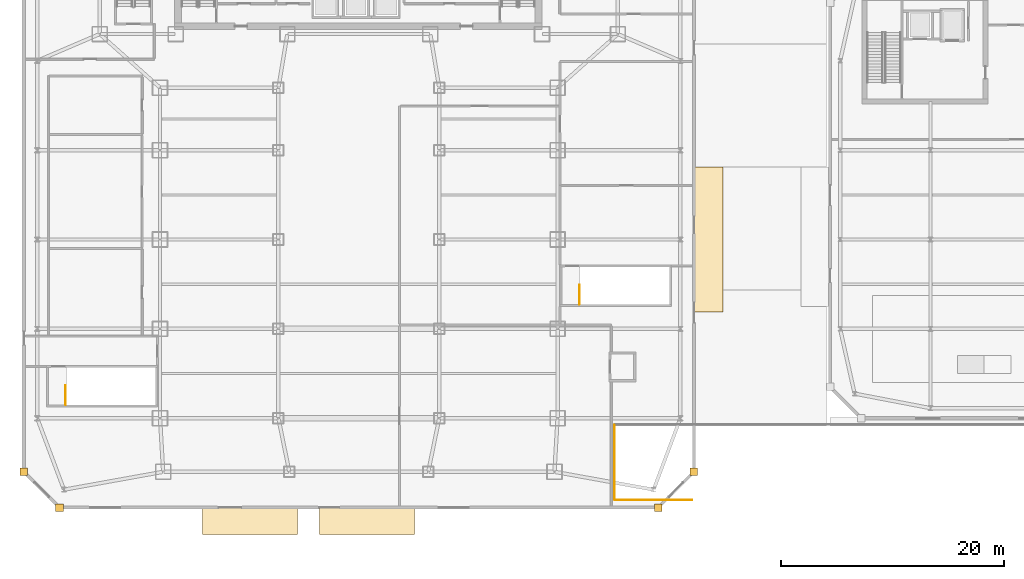
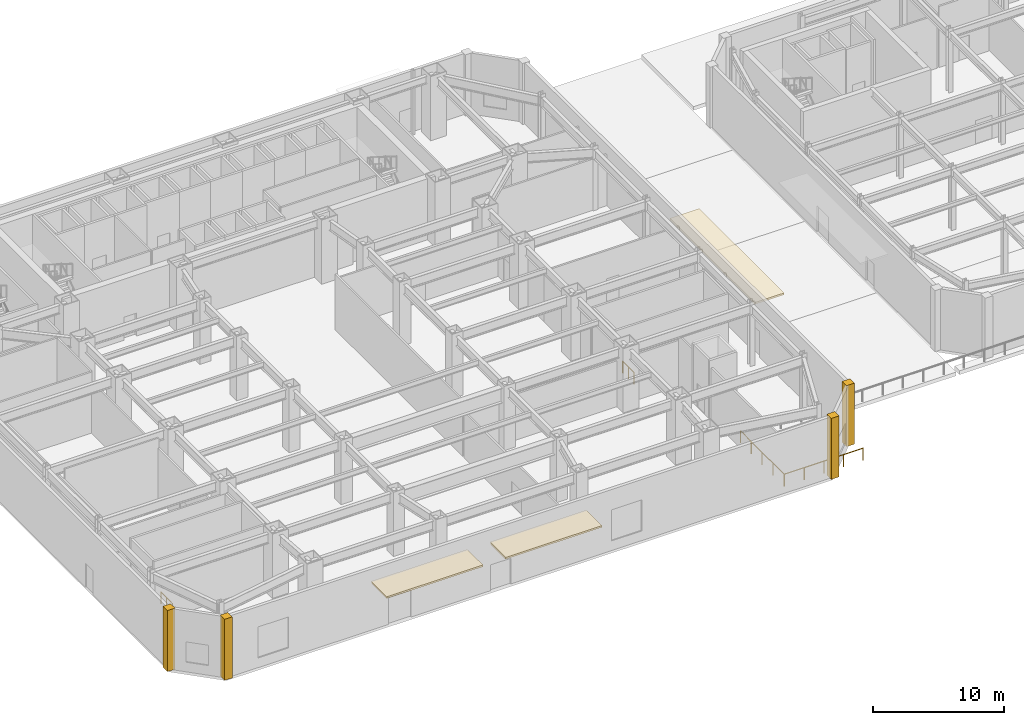
# One storey, part 17 of 23: 7 coverings, 4 railings.
"""IFC4 building model written with IfcOpenShell, lengths in metres."""

import ifcopenshell
import ifcopenshell.guid

model = None  # the IFC model being written
_history = None  # IfcOwnerHistory: only IFC2X3 demands one
_inside = {}  # id of a spatial element -> (the spatial element, [elements in it])
_under = {}  # id of a project, library or spatial element -> (it, [spatial elements below it])
_declared = {}  # id of a project -> (the project, [libraries it declares])
_typed = {}  # id of a type object -> (the type object, [elements of that type])
_made_of = {}  # id of a material, layer set ... -> (it, [elements and type objects made of it])


def new_model(schema):
    """Start an empty IFC model of exactly this schema.

    Asked for "IFC4X3", IfcOpenShell would pick the latest addendum, in which some entities
    have other attributes; the version numbers below select the first issue.
    IFC2X3 requires an IfcOwnerHistory on every rooted entity: one is made here for all.
    """
    global model, _history
    if schema == "IFC4X3":
        model = ifcopenshell.file(schema_version=(4, 3, 0, 0))
    else:
        model = ifcopenshell.file(schema=schema)
    _inside.clear()
    _under.clear()
    _declared.clear()
    _typed.clear()
    _made_of.clear()
    _history = None
    if model.schema == "IFC2X3":
        org = make("IfcOrganization", Name="unknown")
        user = make(
            "IfcPersonAndOrganization",
            ThePerson=make("IfcPerson", FamilyName="unknown"),
            TheOrganization=org,
        )
        app = make(
            "IfcApplication",
            ApplicationDeveloper=org,
            Version="unknown",
            ApplicationFullName="unknown",
            ApplicationIdentifier="unknown",
        )
        _history = make(
            "IfcOwnerHistory",
            OwningUser=user,
            OwningApplication=app,
            ChangeAction="ADDED",
            CreationDate=0,
        )
    return model


def make(cls, **values):
    """One entity of the class cls with the attributes given. An attribute that is None is left unset."""
    return model.create_entity(
        cls, **{name: value for name, value in values.items() if value is not None}
    )


def rooted(cls, **values):
    """An entity with a GlobalId (a new one), such as an element, a storey or a relation."""
    return make(cls, GlobalId=ifcopenshell.guid.new(), OwnerHistory=_history, **values)


def si_unit(unit_type, name, prefix=None):
    """IfcSIUnit, for example si_unit("LENGTHUNIT", "METRE", prefix="MILLI")."""
    return make("IfcSIUnit", UnitType=unit_type, Prefix=prefix, Name=name)


def assignment(units):
    """IfcUnitAssignment: the units of a project."""
    return None if units is None else make("IfcUnitAssignment", Units=units)


def point(xyz):
    """IfcCartesianPoint."""
    return None if xyz is None else make("IfcCartesianPoint", Coordinates=xyz)


def direction(xyz):
    """IfcDirection."""
    return None if xyz is None else make("IfcDirection", DirectionRatios=xyz)


def frame(location, z_axis=None, x_axis=None):
    """IfcAxis2Placement3D, a coordinate frame: its origin and axes. An axis left out is left unset."""
    return make(
        "IfcAxis2Placement3D",
        Location=point(location),
        Axis=direction(z_axis),
        RefDirection=direction(x_axis),
    )


def frame_2d(location, x_axis=None):
    """IfcAxis2Placement2D, a coordinate frame in the plane: its origin and x axis."""
    return make(
        "IfcAxis2Placement2D", Location=point(location), RefDirection=direction(x_axis)
    )


def origin():
    """The frame at (0, 0, 0) with its axes left unset."""
    return frame((0.0, 0.0, 0.0))


def origin_2d():
    """The frame at (0, 0) in the plane with its x axis left unset."""
    return frame_2d((0.0, 0.0))


def place(relative_to, where):
    """IfcLocalPlacement: puts the frame where relative to a parent placement (None: the world)."""
    return make(
        "IfcLocalPlacement", PlacementRelTo=relative_to, RelativePlacement=where
    )


def context(
    kind, dimensions, precision=None, world=None, true_north=None, identifier=None
):
    """IfcGeometricRepresentationContext, for example the 3D "Model" context."""
    return make(
        "IfcGeometricRepresentationContext",
        ContextIdentifier=identifier,
        ContextType=kind,
        CoordinateSpaceDimension=dimensions,
        Precision=precision,
        WorldCoordinateSystem=world,
        TrueNorth=true_north,
    )


def subcontext(parent, identifier, kind, view, scale=None):
    """IfcGeometricRepresentationSubContext, for example "Body" below "Model"."""
    return make(
        "IfcGeometricRepresentationSubContext",
        ContextIdentifier=identifier,
        ContextType=kind,
        ParentContext=parent,
        TargetScale=scale,
        TargetView=view,
    )


def project(units=None, contexts=None):
    """IfcProject with its units and contexts."""
    return rooted(
        "IfcProject",
        Name="project",
        RepresentationContexts=contexts,
        UnitsInContext=assignment(units),
    )


def spatial(cls, under=None, at=None, **own):
    """A site, building, storey or space (cls), placed at a placement, below another one or the project."""
    s = rooted(cls, ObjectPlacement=at, **own)
    if under is not None:
        _under.setdefault(under.id(), (under, []))[1].append(s)
    return s


def polyline(points):
    """IfcPolyline through the points."""
    return make("IfcPolyline", Points=[point(p) for p in points])


def profile(cls, at=None, kind="AREA", **sizes):
    """A parametric profile (cls). Its sizes go by their IFC names, for example OverallWidth=200.0."""
    return make(cls, ProfileType=kind, Position=at, **sizes)


def circle(**sizes):
    """IfcCircleProfileDef."""
    return profile("IfcCircleProfileDef", **sizes)


def outline(outer, holes=None, kind="AREA"):
    """IfcArbitraryClosedProfileDef: a profile drawn as a closed curve; with holes, ...WithVoids."""
    if holes is None:
        return make("IfcArbitraryClosedProfileDef", ProfileType=kind, OuterCurve=outer)
    return make(
        "IfcArbitraryProfileDefWithVoids",
        ProfileType=kind,
        OuterCurve=outer,
        InnerCurves=holes,
    )


def extrude(swept, where, along, depth):
    """IfcExtrudedAreaSolid: the profile swept, set in the frame where, extruded along a direction by depth."""
    return make(
        "IfcExtrudedAreaSolid",
        SweptArea=swept,
        Position=where,
        ExtrudedDirection=direction(along),
        Depth=depth,
    )


def shape(context_of_items, identifier, shape_type, items):
    """IfcShapeRepresentation: the items that make up one representation, for example the "Body"."""
    return make(
        "IfcShapeRepresentation",
        ContextOfItems=context_of_items,
        RepresentationIdentifier=identifier,
        RepresentationType=shape_type,
        Items=items,
    )


def material(Name=None, Category=None):
    """IfcMaterial."""
    return make("IfcMaterial", Name=Name, Category=Category)


def layer(
    of_material, thickness, ventilated=None, Name=None, Category=None, Priority=None
):
    """IfcMaterialLayer: one layer of a wall or slab, of a material (None: an air gap)."""
    return make(
        "IfcMaterialLayer",
        Material=of_material,
        LayerThickness=thickness,
        IsVentilated=ventilated,
        Name=Name,
        Category=Category,
        Priority=Priority,
    )


def layer_set(layers, Name=None):
    """IfcMaterialLayerSet."""
    return make("IfcMaterialLayerSet", MaterialLayers=layers, LayerSetName=Name)


def made_of(thing, what):
    """Note that an element or type object is made of a material, layer set ...; save() writes the relation."""
    if what is not None:
        _made_of.setdefault(what.id(), (what, []))[1].append(thing)
    return thing


def type_object(cls, material=None, **own):
    """A type object (cls), such as IfcWallType, which elements share."""
    return made_of(rooted(cls, **own), material)


def element(
    cls,
    number,
    at=None,
    inside=None,
    cuts=None,
    type_object=None,
    material=None,
    context=None,
    identifier="Body",
    shape_type=None,
    held_by="IfcProductDefinitionShape",
    body=None,
    shapes=None,
    **own,
):
    """One element of the class cls, such as IfcWall. Its Tag is "e" and its number.

    at: its placement. inside: the storey or other place that contains it. cuts: it is an
    opening in that element (IfcRelVoidsElement). A single representation is given by context,
    identifier, shape_type and body (its items); several are given by shapes. held_by: the class
    of the entity that holds the representations. save() writes the other relations.
    """
    e = rooted(cls, Tag="e%d" % number, ObjectPlacement=at, **own)
    if body is not None:
        shapes = [shape(context, identifier, shape_type, body)]
    if shapes is not None:
        e.Representation = make(held_by, Representations=shapes)
    if inside is not None:
        _inside.setdefault(inside.id(), (inside, []))[1].append(e)
    if cuts is not None:
        rooted(
            "IfcRelVoidsElement", RelatingBuildingElement=cuts, RelatedOpeningElement=e
        )
    if type_object is not None:
        _typed.setdefault(type_object.id(), (type_object, []))[1].append(e)
    return made_of(e, material)


def aggregate(whole, parts):
    """IfcRelAggregates: a whole, such as a stair, and the parts it consists of."""
    return rooted("IfcRelAggregates", RelatingObject=whole, RelatedObjects=parts)


def save(model, path):
    """Write the relations noted so far, then the file.

    IfcRelAggregates (storeys below a building ...), IfcRelContainedInSpatialStructure (elements
    in a storey), IfcRelDefinesByType, IfcRelAssociatesMaterial and IfcRelDeclares: one each for
    every whole, place, type object, material and project.
    """
    for whole, parts in _under.values():
        aggregate(whole, parts)
    for where, things in _inside.values():
        rooted(
            "IfcRelContainedInSpatialStructure",
            RelatedElements=things,
            RelatingStructure=where,
        )
    for kind, things in _typed.values():
        rooted("IfcRelDefinesByType", RelatedObjects=things, RelatingType=kind)
    for what, things in _made_of.values():
        rooted("IfcRelAssociatesMaterial", RelatedObjects=things, RelatingMaterial=what)
    for by, libraries in _declared.values():
        rooted("IfcRelDeclares", RelatingContext=by, RelatedDefinitions=libraries)
    model.write(path)


model = new_model("IFC4")

# Units and contexts
model_context = context("Model", 3, precision=1e-05, world=origin(), true_north=direction((0.0, 1.0)))
body_context = subcontext(model_context, "Body", "Model", "MODEL_VIEW")
ifc_project = project(units=[si_unit("LENGTHUNIT", "METRE"), si_unit("AREAUNIT", "SQUARE_METRE"), si_unit("VOLUMEUNIT", "CUBIC_METRE"), si_unit("PLANEANGLEUNIT", "RADIAN"), si_unit("MASSUNIT", "GRAM", prefix="KILO")], contexts=[model_context])

# Site, building, storey
site_placement = place(None, origin())
site = spatial("IfcSite", under=ifc_project, at=site_placement, CompositionType="ELEMENT")
building_placement = place(site_placement, origin())
building = spatial("IfcBuilding", under=site, at=building_placement, Name="Saevonmaru Cultural Tower", CompositionType="ELEMENT")
storey_placement = place(building_placement, origin())
storey = spatial("IfcBuildingStorey", under=building, at=storey_placement, Name="L00", CompositionType="ELEMENT", Elevation=0.0)

# Coverings
ifc_material_1 = material(Name="Champagne Bronze Anodised Aluminium", Category="aluminium")
ifc_layer_1 = layer(ifc_material_1, 0.159912109375, Name="Champagne Bronze Anodised Aluminium")
ifc_layer_set_1 = layer_set([ifc_layer_1], Name="Champagne Bronze Anodised Aluminium")
covering_type_1 = type_object("IfcCoveringType", Name="CV-CANOPY-BRONZE", PredefinedType="CLADDING", material=ifc_layer_set_1)
covering_1_placement = place(storey_placement, frame((0.0, 0.0, 4.300048828125)))
element("IfcCovering", 1, at=covering_1_placement, inside=storey, type_object=covering_type_1, Name="South Grand Cultural Marquee Canopy West", PredefinedType="CLADDING", context=body_context, shape_type="SweptSolid", body=[
    extrude(outline(polyline([(16.0, -2.39990234375), (24.5, -2.39990234375), (24.5, 0.0), (16.0, 0.0), (16.0, -2.39990234375)])), origin(), (0.0, 0.0, 1.0), 0.159912109375),
])
covering_2_placement = place(storey_placement, frame((0.0, 0.0, 4.300048828125)))
element("IfcCovering", 2, at=covering_2_placement, inside=storey, type_object=covering_type_1, Name="South Grand Cultural Marquee Canopy East", PredefinedType="CLADDING", context=body_context, shape_type="SweptSolid", body=[
    extrude(outline(polyline([(26.5, -2.39990234375), (35.0, -2.39990234375), (35.0, 0.0), (26.5, 0.0), (26.5, -2.39990234375)])), origin(), (0.0, 0.0, 1.0), 0.159912109375),
])
covering_3_placement = place(storey_placement, frame((0.0, 0.0, 4.300048828125)))
element("IfcCovering", 3, at=covering_3_placement, inside=storey, type_object=covering_type_1, Name="Saevon Plaza Concourse Marquee Canopy", PredefinedType="CLADDING", context=body_context, shape_type="SweptSolid", body=[
    extrude(outline(polyline([(60.0, 17.5), (62.60009765625, 17.5), (62.60009765625, 30.5), (60.0, 30.5), (60.0, 17.5)])), origin(), (0.0, 0.0, 1.0), 0.159912109375),
])
ifc_material_2 = material(Name="Satin Bronze Anodised Aluminium", Category="aluminium")
ifc_layer_2 = layer(ifc_material_2, 0.679931640625, Name="Satin Bronze Anodised Aluminium")
ifc_layer_set_2 = layer_set([ifc_layer_2], Name="Satin Bronze Anodised Aluminium")
covering_type_2 = type_object("IfcCoveringType", Name="CV-CORNER-CLAD", PredefinedType="CLADDING", material=ifc_layer_set_2)
covering_4_placement = place(storey_placement, origin())
element("IfcCovering", 4, at=covering_4_placement, inside=storey, type_object=covering_type_2, Name="L00 Podium Bronze Corner Cladding Pier 1", PredefinedType="CLADDING", context=body_context, shape_type="SweptSolid", body=[
    extrude(outline(polyline([(-0.340087890625, 2.860107421875), (0.340087890625, 2.860107421875), (0.340087890625, 3.5400390625), (-0.340087890625, 3.5400390625), (-0.340087890625, 2.860107421875)])), origin(), (0.0, 0.0, 1.0), 5.699951171875),
])
covering_5_placement = place(storey_placement, origin())
element("IfcCovering", 5, at=covering_5_placement, inside=storey, type_object=covering_type_2, Name="L00 Podium Bronze Corner Cladding Pier 2", PredefinedType="CLADDING", context=body_context, shape_type="SweptSolid", body=[
    extrude(outline(polyline([(2.860107421875, -0.340087890625), (3.5400390625, -0.340087890625), (3.5400390625, 0.340087890625), (2.860107421875, 0.340087890625), (2.860107421875, -0.340087890625)])), origin(), (0.0, 0.0, 1.0), 5.699951171875),
])
covering_6_placement = place(storey_placement, origin())
element("IfcCovering", 6, at=covering_6_placement, inside=storey, type_object=covering_type_2, Name="L00 Podium Bronze Corner Cladding Pier 3", PredefinedType="CLADDING", context=body_context, shape_type="SweptSolid", body=[
    extrude(outline(polyline([(56.4599609375, -0.340087890625), (57.139892578125, -0.340087890625), (57.139892578125, 0.340087890625), (56.4599609375, 0.340087890625), (56.4599609375, -0.340087890625)])), origin(), (0.0, 0.0, 1.0), 5.699951171875),
])
covering_7_placement = place(storey_placement, origin())
element("IfcCovering", 7, at=covering_7_placement, inside=storey, type_object=covering_type_2, Name="L00 Podium Bronze Corner Cladding Pier 4", PredefinedType="CLADDING", context=body_context, shape_type="SweptSolid", body=[
    extrude(outline(polyline([(59.659912109375, 2.860107421875), (60.340087890625, 2.860107421875), (60.340087890625, 3.5400390625), (59.659912109375, 3.5400390625), (59.659912109375, 2.860107421875)])), origin(), (0.0, 0.0, 1.0), 5.699951171875),
])

# Railings
railing_type_1 = type_object("IfcRailingType", Name="RL-BALUSTRADE-1150", PredefinedType="BALUSTRADE", material=ifc_material_2)
railing_1_placement = place(storey_placement, frame((59.860107421875, 0.679931640625, 0.0)))
element("IfcRailing", 8, at=railing_1_placement, inside=storey, type_object=railing_type_1, Name="L00 Vehicle Ramp VR-1 Well Guardrail Seg 1", PredefinedType="BALUSTRADE", context=body_context, shape_type="SweptSolid", body=[
    extrude(circle(Radius=0.02392578125, at=origin_2d()), frame((0.0, 0.0, 1.1259765625), z_axis=(-1.0, 0.0, 0.0), x_axis=(0.0, -1.0, 0.0)), (0.0, 0.0, 1.0), 6.940185546875),
    extrude(circle(Radius=0.02099609375, at=origin_2d()), origin(), (0.0, 0.0, 1.0), 1.101806640625),
    extrude(circle(Radius=0.02099609375, at=origin_2d()), frame((-1.735107421875, 0.0, 0.0)), (0.0, 0.0, 1.0), 1.101806640625),
    extrude(circle(Radius=0.02099609375, at=origin_2d()), frame((-3.47021484375, 0.0, 0.0)), (0.0, 0.0, 1.0), 1.101806640625),
    extrude(circle(Radius=0.02099609375, at=origin_2d()), frame((-5.205078125, 0.0, 0.0)), (0.0, 0.0, 1.0), 1.101806640625),
    extrude(circle(Radius=0.02099609375, at=origin_2d()), frame((-6.940185546875, 0.0, 0.0)), (0.0, 0.0, 1.0), 1.101806640625),
])
railing_2_placement = place(storey_placement, frame((52.8798828125, 0.719970703125, 0.0)))
element("IfcRailing", 9, at=railing_2_placement, inside=storey, type_object=railing_type_1, Name="L00 Vehicle Ramp VR-1 Well Guardrail Seg 2", PredefinedType="BALUSTRADE", context=body_context, shape_type="SweptSolid", body=[
    extrude(circle(Radius=0.02392578125, at=origin_2d()), frame((0.0, 0.0, 1.1259765625), z_axis=(0.0, 1.0, 0.0), x_axis=(-1.0, 0.0, 0.0)), (0.0, 0.0, 1.0), 6.659912109375),
    extrude(circle(Radius=0.02099609375, at=origin_2d()), origin(), (0.0, 0.0, 1.0), 1.101806640625),
    extrude(circle(Radius=0.02099609375, at=origin_2d()), frame((0.0, 1.6650390625, 0.0)), (0.0, 0.0, 1.0), 1.101806640625),
    extrude(circle(Radius=0.02099609375, at=origin_2d()), frame((0.0, 3.330078125, 0.0)), (0.0, 0.0, 1.0), 1.101806640625),
    extrude(circle(Radius=0.02099609375, at=origin_2d()), frame((0.0, 4.994873046875, 0.0)), (0.0, 0.0, 1.0), 1.101806640625),
    extrude(circle(Radius=0.02099609375, at=origin_2d()), frame((0.0, 6.659912109375, 0.0)), (0.0, 0.0, 1.0), 1.101806640625),
])
ifc_material_3 = material(Name="Architectural Painted Steel", Category="steel")
railing_type_2 = type_object("IfcRailingType", Name="RL-STAIR-GUARD", PredefinedType="GUARDRAIL", material=ifc_material_3)
for number, where, name in (
    (10, (3.75, 9.199951171875, 0.0), "L00 SST-1 top well guard 1"),
    (11, (49.75, 18.199951171875, 0.0), "L00 SST-2 top well guard 1"),
):
    element("IfcRailing", number, at=place(storey_placement, frame(where)), inside=storey, type_object=railing_type_2, Name=name, PredefinedType="GUARDRAIL", context=body_context, shape_type="SweptSolid", body=[
        extrude(circle(Radius=0.02392578125, at=origin_2d()), frame((0.0, 0.0, 1.09619140625), z_axis=(0.0, 1.0, 0.0), x_axis=(-1.0, 0.0, 0.0)), (0.0, 0.0, 1.0), 1.75),
        extrude(circle(Radius=0.02099609375, at=origin_2d()), origin(), (0.0, 0.0, 1.0), 1.072021484375),
        extrude(circle(Radius=0.02099609375, at=origin_2d()), frame((0.0, 0.875, 0.0)), (0.0, 0.0, 1.0), 1.072021484375),
        extrude(circle(Radius=0.02099609375, at=origin_2d()), frame((0.0, 1.75, 0.0)), (0.0, 0.0, 1.0), 1.072021484375),
    ])

save(model, "model.ifc")
